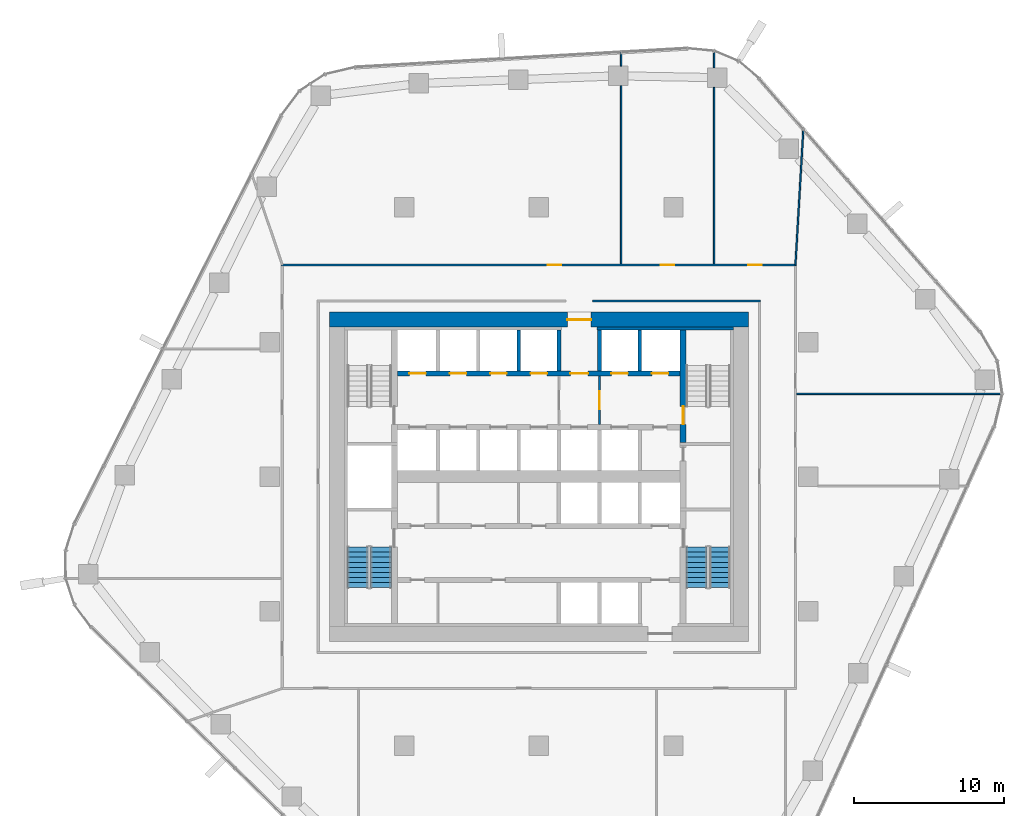
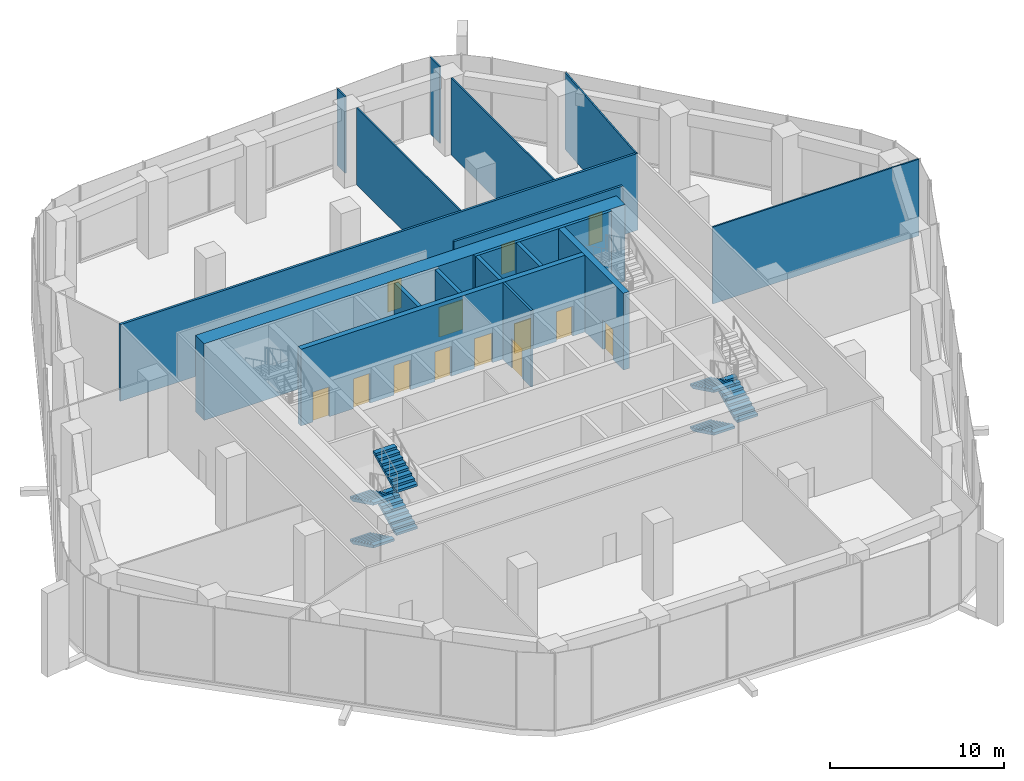
# One storey, part 13 of 18: 17 walls, 13 doors, 7 stair flights, 13 openings, 2 elements without a shape of their own.
"""IFC4 building model written with IfcOpenShell, lengths in metres."""

from ifc_helpers import new_model, si_unit, direction, frame, frame_2d, origin, place, context, subcontext, project, spatial, polyline, rectangle, outline, extrude, material, layer, layer_set, type_object, element, fill, aggregate, save


model = new_model("IFC4")

# Units and contexts
model_context = context("Model", 3, precision=1e-05, world=origin(), true_north=direction((0.0, 1.0)))
body_context = subcontext(model_context, "Body", "Model", "MODEL_VIEW")
ifc_project = project(units=[si_unit("LENGTHUNIT", "METRE"), si_unit("AREAUNIT", "SQUARE_METRE"), si_unit("VOLUMEUNIT", "CUBIC_METRE"), si_unit("PLANEANGLEUNIT", "RADIAN"), si_unit("MASSUNIT", "GRAM", prefix="KILO")], contexts=[model_context])

# Site, building, storey
site_placement = place(None, origin())
site = spatial("IfcSite", under=ifc_project, at=site_placement, CompositionType="ELEMENT")
building_placement = place(site_placement, origin())
building = spatial("IfcBuilding", under=site, at=building_placement, Name="Dongbaek Canopy Tower", CompositionType="ELEMENT")
storey_placement = place(building_placement, frame((0.0, 0.0, 139.60009765625)))
storey = spatial("IfcBuildingStorey", under=building, at=storey_placement, Name="L31", CompositionType="ELEMENT", Elevation=139.60009765625)

# Wall, openings, doors
ifc_material_1 = material(Name="Concrete C60/75", Category="concrete")
ifc_layer_1 = layer(ifc_material_1, 0.35009765625)
ifc_layer_set_1 = layer_set([ifc_layer_1], Name="Core lobby wall 350 Concrete C60/75")
wall_type_1 = type_object("IfcWallType", Name="Core lobby wall 350 Concrete C60/75", PredefinedType="SHEAR", material=ifc_layer_set_1)
wall_1_placement = place(storey_placement, frame((-9.449951171875, 6.89990234375, 0.0), z_axis=(0.0, 0.0, 1.0), x_axis=(1.0, 0.0, 0.0)))
wall_1 = element("IfcWall", 1, at=wall_1_placement, inside=storey, type_object=wall_type_1, Name="Core wall", PredefinedType="SHEAR", context=body_context, shape_type="SweptSolid", body=[
    extrude(rectangle(XDim=18.89990234375, YDim=0.35009765625, at=frame_2d((9.449951171875, 0.0))), origin(), (0.0, 0.0, 1.0), 5.39990234375),
])
opening_1_placement = place(wall_1_placement, frame((0.800048828125, 0.0, 0.0)))
opening_1 = element("IfcOpeningElement", 2, at=opening_1_placement, cuts=wall_1, Name="Opening L31-D016", PredefinedType="OPENING", context=body_context, shape_type="SweptSolid", body=[
    extrude(rectangle(XDim=1.10009765625, YDim=2.10009765625, at=frame_2d((0.550048828125, 1.050048828125))), frame((0.0, 0.18505859375, 0.0), z_axis=(0.0, -1.0, 0.0), x_axis=(1.0, 0.0, 0.0)), (0.0, 0.0, 1.0), 0.3701171875),
])
opening_2_placement = place(wall_1_placement, frame((3.5, 0.0, 0.0)))
opening_2 = element("IfcOpeningElement", 3, at=opening_2_placement, cuts=wall_1, Name="Opening L31-D017", PredefinedType="OPENING", context=body_context, shape_type="SweptSolid", body=[
    extrude(rectangle(XDim=1.10009765625, YDim=2.10009765625, at=frame_2d((0.550048828125, 1.050048828125))), frame((0.0, 0.18505859375, 0.0), z_axis=(0.0, -1.0, 0.0), x_axis=(1.0, 0.0, 0.0)), (0.0, 0.0, 1.0), 0.3701171875),
])
opening_3_placement = place(wall_1_placement, frame((6.199951171875, 0.0, 0.0)))
opening_3 = element("IfcOpeningElement", 4, at=opening_3_placement, cuts=wall_1, Name="Opening L31-D018", PredefinedType="OPENING", context=body_context, shape_type="SweptSolid", body=[
    extrude(rectangle(XDim=1.10009765625, YDim=2.10009765625, at=frame_2d((0.550048828125, 1.050048828125))), frame((0.0, 0.18505859375, 0.0), z_axis=(0.0, -1.0, 0.0), x_axis=(1.0, 0.0, 0.0)), (0.0, 0.0, 1.0), 0.3701171875),
])
opening_4_placement = place(wall_1_placement, frame((8.89990234375, 0.0, 0.0)))
opening_4 = element("IfcOpeningElement", 5, at=opening_4_placement, cuts=wall_1, Name="Opening L31-D019", PredefinedType="OPENING", context=body_context, shape_type="SweptSolid", body=[
    extrude(rectangle(XDim=1.10009765625, YDim=2.10009765625, at=frame_2d((0.550048828125, 1.050048828125))), frame((0.0, 0.18505859375, 0.0), z_axis=(0.0, -1.0, 0.0), x_axis=(1.0, 0.0, 0.0)), (0.0, 0.0, 1.0), 0.3701171875),
])
opening_5_placement = place(wall_1_placement, frame((11.550048828125, 0.0, 0.0)))
opening_5 = element("IfcOpeningElement", 6, at=opening_5_placement, cuts=wall_1, Name="Opening L31-D021", PredefinedType="OPENING", context=body_context, shape_type="SweptSolid", body=[
    extrude(rectangle(XDim=1.199951171875, YDim=2.10009765625, at=frame_2d((0.60009765625, 1.050048828125))), frame((0.0, 0.18505859375, 0.0), z_axis=(0.0, -1.0, 0.0), x_axis=(1.0, 0.0, 0.0)), (0.0, 0.0, 1.0), 0.3701171875),
])
opening_6_placement = place(wall_1_placement, frame((14.300048828125, 0.0, 0.0)))
opening_6 = element("IfcOpeningElement", 7, at=opening_6_placement, cuts=wall_1, Name="Opening L31-D022", PredefinedType="OPENING", context=body_context, shape_type="SweptSolid", body=[
    extrude(rectangle(XDim=1.10009765625, YDim=2.10009765625, at=frame_2d((0.550048828125, 1.050048828125))), frame((0.0, 0.18505859375, 0.0), z_axis=(0.0, -1.0, 0.0), x_axis=(1.0, 0.0, 0.0)), (0.0, 0.0, 1.0), 0.3701171875),
])
opening_7_placement = place(wall_1_placement, frame((17.0, 0.0, 0.0)))
opening_7 = element("IfcOpeningElement", 8, at=opening_7_placement, cuts=wall_1, Name="Opening L31-D023", PredefinedType="OPENING", context=body_context, shape_type="SweptSolid", body=[
    extrude(rectangle(XDim=1.10009765625, YDim=2.10009765625, at=frame_2d((0.550048828125, 1.050048828125))), frame((0.0, 0.18505859375, 0.0), z_axis=(0.0, -1.0, 0.0), x_axis=(1.0, 0.0, 0.0)), (0.0, 0.0, 1.0), 0.3701171875),
])
ifc_material_2 = material(Name="Steel", Category="steel")
door_type_1 = type_object("IfcDoorType", Name="Fire lobby door 1200 x 2100", OperationType="SINGLE_SWING_LEFT", PredefinedType="DOOR", material=ifc_material_2)
door_1_placement = place(opening_5_placement, origin())
door_1 = element("IfcDoor", 9, at=door_1_placement, inside=storey, type_object=door_type_1, Name="Door L31-D021", OperationType="SINGLE_SWING_LEFT", OverallHeight=2.10009765625, OverallWidth=1.199951171875, PredefinedType="DOOR", context=body_context, shape_type="SweptSolid", body=[
    extrude(rectangle(XDim=1.199951171875, YDim=2.10009765625, at=frame_2d((0.60009765625, 1.050048828125))), frame((0.0, 0.02490234375, 0.0), z_axis=(0.0, -1.0, 0.0), x_axis=(1.0, 0.0, 0.0)), (0.0, 0.0, 1.0), 0.050048828125),
])
fill(opening_5, door_1)
ifc_material_3 = material(Name="Stainless steel", Category="steel")
door_type_2 = type_object("IfcDoorType", Name="Lift landing door 1100 x 2100", OperationType="DOUBLE_DOOR_SLIDING", PredefinedType="DOOR", material=ifc_material_3)
door_2_placement = place(opening_1_placement, origin())
door_2 = element("IfcDoor", 10, at=door_2_placement, inside=storey, type_object=door_type_2, Name="Landing door LR1", OperationType="DOUBLE_DOOR_SLIDING", OverallHeight=2.10009765625, OverallWidth=1.10009765625, PredefinedType="DOOR", context=body_context, shape_type="SweptSolid", body=[
    extrude(rectangle(XDim=1.10009765625, YDim=2.10009765625, at=frame_2d((0.550048828125, 1.050048828125))), frame((0.0, 0.02490234375, 0.0), z_axis=(0.0, -1.0, 0.0), x_axis=(1.0, 0.0, 0.0)), (0.0, 0.0, 1.0), 0.050048828125),
])
fill(opening_1, door_2)
door_3_placement = place(opening_2_placement, origin())
door_3 = element("IfcDoor", 11, at=door_3_placement, inside=storey, type_object=door_type_2, Name="Landing door LR2", OperationType="DOUBLE_DOOR_SLIDING", OverallHeight=2.10009765625, OverallWidth=1.10009765625, PredefinedType="DOOR", context=body_context, shape_type="SweptSolid", body=[
    extrude(rectangle(XDim=1.10009765625, YDim=2.10009765625, at=frame_2d((0.550048828125, 1.050048828125))), frame((0.0, 0.02490234375, 0.0), z_axis=(0.0, -1.0, 0.0), x_axis=(1.0, 0.0, 0.0)), (0.0, 0.0, 1.0), 0.050048828125),
])
fill(opening_2, door_3)
door_4_placement = place(opening_3_placement, origin())
door_4 = element("IfcDoor", 12, at=door_4_placement, inside=storey, type_object=door_type_2, Name="Landing door LR3", OperationType="DOUBLE_DOOR_SLIDING", OverallHeight=2.10009765625, OverallWidth=1.10009765625, PredefinedType="DOOR", context=body_context, shape_type="SweptSolid", body=[
    extrude(rectangle(XDim=1.10009765625, YDim=2.10009765625, at=frame_2d((0.550048828125, 1.050048828125))), frame((0.0, 0.02490234375, 0.0), z_axis=(0.0, -1.0, 0.0), x_axis=(1.0, 0.0, 0.0)), (0.0, 0.0, 1.0), 0.050048828125),
])
fill(opening_3, door_4)
door_5_placement = place(opening_4_placement, origin())
door_5 = element("IfcDoor", 13, at=door_5_placement, inside=storey, type_object=door_type_2, Name="Landing door LR4", OperationType="DOUBLE_DOOR_SLIDING", OverallHeight=2.10009765625, OverallWidth=1.10009765625, PredefinedType="DOOR", context=body_context, shape_type="SweptSolid", body=[
    extrude(rectangle(XDim=1.10009765625, YDim=2.10009765625, at=frame_2d((0.550048828125, 1.050048828125))), frame((0.0, 0.02490234375, 0.0), z_axis=(0.0, -1.0, 0.0), x_axis=(1.0, 0.0, 0.0)), (0.0, 0.0, 1.0), 0.050048828125),
])
fill(opening_4, door_5)
door_6_placement = place(opening_6_placement, origin())
door_6 = element("IfcDoor", 14, at=door_6_placement, inside=storey, type_object=door_type_2, Name="Landing door FF1", OperationType="DOUBLE_DOOR_SLIDING", OverallHeight=2.10009765625, OverallWidth=1.10009765625, PredefinedType="DOOR", context=body_context, shape_type="SweptSolid", body=[
    extrude(rectangle(XDim=1.10009765625, YDim=2.10009765625, at=frame_2d((0.550048828125, 1.050048828125))), frame((0.0, 0.02490234375, 0.0), z_axis=(0.0, -1.0, 0.0), x_axis=(1.0, 0.0, 0.0)), (0.0, 0.0, 1.0), 0.050048828125),
])
fill(opening_6, door_6)
door_7_placement = place(opening_7_placement, origin())
door_7 = element("IfcDoor", 15, at=door_7_placement, inside=storey, type_object=door_type_2, Name="Landing door FF2", OperationType="DOUBLE_DOOR_SLIDING", OverallHeight=2.10009765625, OverallWidth=1.10009765625, PredefinedType="DOOR", context=body_context, shape_type="SweptSolid", body=[
    extrude(rectangle(XDim=1.10009765625, YDim=2.10009765625, at=frame_2d((0.550048828125, 1.050048828125))), frame((0.0, 0.02490234375, 0.0), z_axis=(0.0, -1.0, 0.0), x_axis=(1.0, 0.0, 0.0)), (0.0, 0.0, 1.0), 0.050048828125),
])
fill(opening_7, door_7)

# Wall, opening, door
ifc_material_4 = material(Name="Concrete C60/75", Category="concrete")
ifc_layer_2 = layer(ifc_material_4, 1.0)
ifc_layer_set_2 = layer_set([ifc_layer_2], Name="Core outer wall 1000 Concrete C60/75")
wall_type_2 = type_object("IfcWallType", Name="Core outer wall 1000 Concrete C60/75", PredefinedType="SHEAR", material=ifc_layer_set_2)
wall_2_placement = place(storey_placement, frame((-14.0, 10.5, 0.0), z_axis=(0.0, 0.0, 1.0), x_axis=(1.0, 0.0, 0.0)))
wall_2 = element("IfcWall", 16, at=wall_2_placement, inside=storey, type_object=wall_type_2, Name="Core wall", PredefinedType="SHEAR", context=body_context, shape_type="SweptSolid", body=[
    extrude(rectangle(XDim=28.0, YDim=1.0, at=frame_2d((14.0, 0.0))), origin(), (0.0, 0.0, 1.0), 5.39990234375),
])
opening_8_placement = place(wall_2_placement, frame((15.89990234375, 0.0, 0.0)))
opening_8 = element("IfcOpeningElement", 17, at=opening_8_placement, cuts=wall_2, Name="Opening L31-D020", PredefinedType="OPENING", context=body_context, shape_type="SweptSolid", body=[
    extrude(rectangle(XDim=1.60009765625, YDim=2.10009765625, at=frame_2d((0.800048828125, 1.050048828125))), frame((0.0, 0.510009765625, 0.0), z_axis=(0.0, -1.0, 0.0), x_axis=(1.0, 0.0, 0.0)), (0.0, 0.0, 1.0), 1.02001953125),
])
ifc_material_5 = material(Name="Steel", Category="steel")
door_type_3 = type_object("IfcDoorType", Name="Core exit door 1600 x 2100", OperationType="DOUBLE_DOOR_SINGLE_SWING", PredefinedType="DOOR", material=ifc_material_5)
door_8_placement = place(opening_8_placement, origin())
door_8 = element("IfcDoor", 18, at=door_8_placement, inside=storey, type_object=door_type_3, Name="Core exit door", OperationType="DOUBLE_DOOR_SINGLE_SWING", OverallHeight=2.10009765625, OverallWidth=1.60009765625, PredefinedType="DOOR", context=body_context, shape_type="SweptSolid", body=[
    extrude(rectangle(XDim=1.60009765625, YDim=2.10009765625, at=frame_2d((0.800048828125, 1.050048828125))), frame((0.0, 0.02490234375, 0.0), z_axis=(0.0, -1.0, 0.0), x_axis=(1.0, 0.0, 0.0)), (0.0, 0.0, 1.0), 0.050048828125),
])
fill(opening_8, door_8)

# Walls
ifc_material_6 = material(Name="Concrete C60/75", Category="concrete")
ifc_layer_3 = layer(ifc_material_6, 0.199951171875)
ifc_layer_set_3 = layer_set([ifc_layer_3], Name="Core wall lining 200 Concrete C60/75")
wall_type_3 = type_object("IfcWallType", Name="Core wall lining 200 Concrete C60/75", PredefinedType="SHEAR", material=ifc_layer_set_3)
wall_3_placement = place(storey_placement, frame((3.89990234375, 9.89990234375, 0.0), z_axis=(0.0, 0.0, 1.0), x_axis=(1.0, 0.0, 0.0)))
element("IfcWall", 19, at=wall_3_placement, inside=storey, type_object=wall_type_3, Name="Core wall lining", PredefinedType="SHEAR", context=body_context, shape_type="SweptSolid", body=[
    extrude(rectangle(XDim=9.10009765625, YDim=0.199951171875, at=frame_2d((4.550048828125, 0.0))), origin(), (0.0, 0.0, 1.0), 5.39990234375),
])
ifc_material_7 = material(Name="Gypsum board partition, steel stud, 2 x 15 mm fire board", Category="steel")
ifc_layer_4 = layer(ifc_material_7, 0.14990234375)
ifc_layer_set_4 = layer_set([ifc_layer_4], Name="Fire-rated partition 150 gypsum board")
wall_type_4 = type_object("IfcWallType", Name="Fire-rated partition 150 gypsum board", PredefinedType="PARTITIONING", material=ifc_layer_set_4)
wall_4_placement = place(storey_placement, frame((3.60009765625, 11.75, 0.0), z_axis=(0.0, 0.0, 1.0), x_axis=(1.0, 0.0, 0.0)))
element("IfcWall", 20, at=wall_4_placement, inside=storey, type_object=wall_type_4, Name="Corridor partition", PredefinedType="PARTITIONING", context=body_context, shape_type="SweptSolid", body=[
    extrude(rectangle(XDim=11.224853515625, YDim=0.14990234375, at=frame_2d((5.6123046875, 0.0))), origin(), (0.0, 0.0, 1.0), 5.39990234375),
])

# Wall, openings, doors
wall_5_placement = place(storey_placement, frame((-17.22509765625, 14.14990234375, 0.0), z_axis=(0.0, 0.0, 1.0), x_axis=(1.0, 0.0, 0.0)))
wall_5 = element("IfcWall", 21, at=wall_5_placement, inside=storey, type_object=wall_type_4, Name="Corridor partition", PredefinedType="PARTITIONING", context=body_context, shape_type="SweptSolid", body=[
    extrude(rectangle(XDim=34.4501953125, YDim=0.14990234375, at=frame_2d((17.22509765625, 0.0))), origin(), (0.0, 0.0, 1.0), 5.39990234375),
])
opening_9_placement = place(wall_5_placement, frame((31.20849609375, 0.0, 0.0)))
opening_9 = element("IfcOpeningElement", 22, at=opening_9_placement, cuts=wall_5, Name="Opening L31-D008", PredefinedType="OPENING", context=body_context, shape_type="SweptSolid", body=[
    extrude(rectangle(XDim=0.89990234375, YDim=2.10009765625, at=frame_2d((0.449951171875, 1.050048828125))), frame((0.0, 0.0849609375, 0.0), z_axis=(0.0, -1.0, 0.0), x_axis=(1.0, 0.0, 0.0)), (0.0, 0.0, 1.0), 0.169921875),
])
opening_10_placement = place(wall_5_placement, frame((25.381103515625, 0.0, 0.0)))
opening_10 = element("IfcOpeningElement", 23, at=opening_10_placement, cuts=wall_5, Name="Opening L31-D009", PredefinedType="OPENING", context=body_context, shape_type="SweptSolid", body=[
    extrude(rectangle(XDim=0.89990234375, YDim=2.10009765625, at=frame_2d((0.449951171875, 1.050048828125))), frame((0.0, 0.0849609375, 0.0), z_axis=(0.0, -1.0, 0.0), x_axis=(1.0, 0.0, 0.0)), (0.0, 0.0, 1.0), 0.169921875),
])
opening_11_placement = place(wall_5_placement, frame((17.8232421875, 0.0, 0.0)))
opening_11 = element("IfcOpeningElement", 24, at=opening_11_placement, cuts=wall_5, Name="Opening L31-D010", PredefinedType="OPENING", context=body_context, shape_type="SweptSolid", body=[
    extrude(rectangle(XDim=0.89990234375, YDim=2.10009765625, at=frame_2d((0.449951171875, 1.050048828125))), frame((0.0, 0.0849609375, 0.0), z_axis=(0.0, -1.0, 0.0), x_axis=(1.0, 0.0, 0.0)), (0.0, 0.0, 1.0), 0.169921875),
])
ifc_material_8 = material(Name="Timber veneered door leaf", Category="wood")
door_type_4 = type_object("IfcDoorType", Name="Room door 900 x 2100", OperationType="SINGLE_SWING_LEFT", PredefinedType="DOOR", material=ifc_material_8)
door_9_placement = place(opening_9_placement, origin())
door_9 = element("IfcDoor", 25, at=door_9_placement, inside=storey, type_object=door_type_4, Name="Door L31-D008", OperationType="SINGLE_SWING_LEFT", OverallHeight=2.10009765625, OverallWidth=0.89990234375, PredefinedType="DOOR", context=body_context, shape_type="SweptSolid", body=[
    extrude(rectangle(XDim=0.89990234375, YDim=2.10009765625, at=frame_2d((0.449951171875, 1.050048828125))), frame((0.0, 0.02490234375, 0.0), z_axis=(0.0, -1.0, 0.0), x_axis=(1.0, 0.0, 0.0)), (0.0, 0.0, 1.0), 0.050048828125),
])
fill(opening_9, door_9)
door_10_placement = place(opening_10_placement, origin())
door_10 = element("IfcDoor", 26, at=door_10_placement, inside=storey, type_object=door_type_4, Name="Door L31-D009", OperationType="SINGLE_SWING_RIGHT", OverallHeight=2.10009765625, OverallWidth=0.89990234375, PredefinedType="DOOR", context=body_context, shape_type="SweptSolid", body=[
    extrude(rectangle(XDim=0.89990234375, YDim=2.10009765625, at=frame_2d((0.449951171875, 1.050048828125))), frame((0.0, 0.02490234375, 0.0), z_axis=(0.0, -1.0, 0.0), x_axis=(1.0, 0.0, 0.0)), (0.0, 0.0, 1.0), 0.050048828125),
])
fill(opening_10, door_10)
door_11_placement = place(opening_11_placement, origin())
door_11 = element("IfcDoor", 27, at=door_11_placement, inside=storey, type_object=door_type_4, Name="Door L31-D010", OperationType="SINGLE_SWING_LEFT", OverallHeight=2.10009765625, OverallWidth=0.89990234375, PredefinedType="DOOR", context=body_context, shape_type="SweptSolid", body=[
    extrude(rectangle(XDim=0.89990234375, YDim=2.10009765625, at=frame_2d((0.449951171875, 1.050048828125))), frame((0.0, 0.02490234375, 0.0), z_axis=(0.0, -1.0, 0.0), x_axis=(1.0, 0.0, 0.0)), (0.0, 0.0, 1.0), 0.050048828125),
])
fill(opening_11, door_11)

# Wall, opening, door
wall_6_placement = place(storey_placement, frame((4.050048828125, 6.72509765625, 0.0), z_axis=(0.0, 0.0, 1.0), x_axis=(0.0, -1.0, 0.0)))
wall_6 = element("IfcWall", 28, at=wall_6_placement, inside=storey, type_object=wall_type_4, Name="Fire lobby partition", PredefinedType="PARTITIONING", context=body_context, shape_type="SweptSolid", body=[
    extrude(rectangle(XDim=3.25, YDim=0.14990234375, at=frame_2d((1.625, 0.0))), origin(), (0.0, 0.0, 1.0), 5.39990234375),
])
opening_12_placement = place(wall_6_placement, frame((1.02490234375, 0.0, 0.0)))
opening_12 = element("IfcOpeningElement", 29, at=opening_12_placement, cuts=wall_6, Name="Opening L31-D044", PredefinedType="OPENING", context=body_context, shape_type="SweptSolid", body=[
    extrude(rectangle(XDim=1.199951171875, YDim=2.10009765625, at=frame_2d((0.60009765625, 1.050048828125))), frame((0.0, 0.0849609375, 0.0), z_axis=(0.0, -1.0, 0.0), x_axis=(1.0, 0.0, 0.0)), (0.0, 0.0, 1.0), 0.169921875),
])
door_12_placement = place(opening_12_placement, origin())
door_12 = element("IfcDoor", 30, at=door_12_placement, inside=storey, type_object=door_type_1, Name="Door L31-D044", OperationType="SINGLE_SWING_RIGHT", OverallHeight=2.10009765625, OverallWidth=1.199951171875, PredefinedType="DOOR", context=body_context, shape_type="SweptSolid", body=[
    extrude(rectangle(XDim=1.199951171875, YDim=2.10009765625, at=frame_2d((0.60009765625, 1.050048828125))), frame((0.0, 0.02490234375, 0.0), z_axis=(0.0, -1.0, 0.0), x_axis=(1.0, 0.0, 0.0)), (0.0, 0.0, 1.0), 0.050048828125),
])
fill(opening_12, door_12)

# Walls
ifc_material_9 = material(Name="Concrete C40/50", Category="concrete")
ifc_layer_5 = layer(ifc_material_9, 0.25)
ifc_layer_set_5 = layer_set([ifc_layer_5], Name="Lift shaft wall 250 Concrete C40/50")
wall_type_5 = type_object("IfcWallType", Name="Lift shaft wall 250 Concrete C40/50", PredefinedType="SOLIDWALL", material=ifc_layer_set_5)
for number, where, z_axis, x_axis, name in (
    (31, (6.75, 7.074951171875, 0.0), (0.0, 0.0, 1.0), (0.0, 1.0, 0.0), "Lift shaft wall"),
    (32, (4.050048828125, 7.074951171875, 0.0), (0.0, 0.0, 1.0), (0.0, 1.0, 0.0), "Lift shaft wall"),
    (33, (1.35009765625, 7.074951171875, 0.0), (0.0, 0.0, 1.0), (0.0, 1.0, 0.0), "Lift shaft wall"),
    (34, (-1.35009765625, 7.074951171875, 0.0), (0.0, 0.0, 1.0), (0.0, 1.0, 0.0), "Lift shaft wall"),
):
    element("IfcWall", number, at=place(storey_placement, frame(where, z_axis=z_axis, x_axis=x_axis)), inside=storey, type_object=wall_type_5, Name=name, PredefinedType="SOLIDWALL", context=body_context, shape_type="SweptSolid", body=[
        extrude(rectangle(XDim=2.72509765625, YDim=0.25, at=frame_2d((1.362548828125, 0.0))), origin(), (0.0, 0.0, 1.0), 5.39990234375),
    ])
ifc_material_10 = material(Name="Gypsum board partition, steel stud, 2 x 12.5 mm board", Category="steel")
ifc_layer_6 = layer(ifc_material_10, 0.10009765625)
ifc_layer_set_6 = layer_set([ifc_layer_6], Name="Partition 100 gypsum board")
wall_type_6 = type_object("IfcWallType", Name="Partition 100 gypsum board", PredefinedType="PARTITIONING", material=ifc_layer_set_6)
wall_7_placement = place(storey_placement, frame((17.22509765625, 5.529052734375, 0.0), z_axis=(0.0, 0.0, 1.0), x_axis=(1.0, 0.0, 0.0)))
element("IfcWall", 35, at=wall_7_placement, inside=storey, type_object=wall_type_6, Name="Partition", PredefinedType="PARTITIONING", context=body_context, shape_type="SweptSolid", body=[
    extrude(rectangle(XDim=13.720703125, YDim=0.10009765625, at=frame_2d((6.8603515625, 0.0))), origin(), (0.0, 0.0, 1.0), 5.39990234375),
])
wall_8_placement = place(storey_placement, frame((17.1494140625, 14.14990234375, 0.0), z_axis=(0.0, 0.0, 1.0), x_axis=(0.058278603103, 0.998300357818, 0.0)))
element("IfcWall", 36, at=wall_8_placement, inside=storey, type_object=wall_type_6, Name="Partition", PredefinedType="PARTITIONING", context=body_context, shape_type="SweptSolid", body=[
    extrude(rectangle(XDim=9.069580078125, YDim=0.10009765625, at=frame_2d((4.53466796875, 0.0))), origin(), (0.0, 0.0, 1.0), 5.39990234375),
])
wall_9_placement = place(storey_placement, frame((11.717041015625, 14.22509765625, 0.0), z_axis=(0.0, 0.0, 1.0), x_axis=(0.0, 1.0, 0.0)))
element("IfcWall", 37, at=wall_9_placement, inside=storey, type_object=wall_type_6, Name="Partition", PredefinedType="PARTITIONING", context=body_context, shape_type="SweptSolid", body=[
    extrude(rectangle(XDim=11.798828125, YDim=0.10009765625, at=frame_2d((5.8994140625, 0.0))), origin(), (0.0, 0.0, 1.0), 5.39990234375),
])
wall_10_placement = place(storey_placement, frame((11.717041015625, 27.323974609375, 0.0), z_axis=(0.0, 0.0, 1.0), x_axis=(0.0, 1.0, 0.0)))
element("IfcWall", 38, at=wall_10_placement, inside=storey, type_object=wall_type_6, Name="Partition", PredefinedType="PARTITIONING", context=body_context, shape_type="SweptSolid", body=[
    extrude(rectangle(XDim=1.117431640625, YDim=0.10009765625, at=frame_2d((0.55859375, 0.0))), origin(), (0.0, 0.0, 1.0), 5.39990234375),
])
wall_11_placement = place(storey_placement, frame((5.49609375, 14.22509765625, 0.0), z_axis=(0.0, 0.0, 1.0), x_axis=(0.0, 1.0, 0.0)))
element("IfcWall", 39, at=wall_11_placement, inside=storey, type_object=wall_type_6, Name="Partition", PredefinedType="PARTITIONING", context=body_context, shape_type="SweptSolid", body=[
    extrude(rectangle(XDim=11.9228515625, YDim=0.10009765625, at=frame_2d((5.96142578125, 0.0))), origin(), (0.0, 0.0, 1.0), 5.39990234375),
])
wall_12_placement = place(storey_placement, frame((5.49609375, 27.447998046875, 0.0), z_axis=(0.0, 0.0, 1.0), x_axis=(0.0, 1.0, 0.0)))
element("IfcWall", 40, at=wall_12_placement, inside=storey, type_object=wall_type_6, Name="Partition", PredefinedType="PARTITIONING", context=body_context, shape_type="SweptSolid", body=[
    extrude(rectangle(XDim=0.913818359375, YDim=0.10009765625, at=frame_2d((0.45703125, 0.0))), origin(), (0.0, 0.0, 1.0), 5.39990234375),
])

# Wall, opening, door
ifc_material_11 = material(Name="Concrete C60/75", Category="concrete")
ifc_layer_7 = layer(ifc_material_11, 0.39990234375)
ifc_layer_set_7 = layer_set([ifc_layer_7], Name="Stair wall 400 Concrete C60/75")
wall_type_7 = type_object("IfcWallType", Name="Stair wall 400 Concrete C60/75", PredefinedType="SHEAR", material=ifc_layer_set_7)
wall_13_placement = place(storey_placement, frame((9.64990234375, 9.800048828125, 0.0), z_axis=(0.0, 0.0, 1.0), x_axis=(0.0, -1.0, 0.0)))
wall_13 = element("IfcWall", 41, at=wall_13_placement, inside=storey, type_object=wall_type_7, Name="Stair wall", PredefinedType="SHEAR", context=body_context, shape_type="SweptSolid", body=[
    extrude(rectangle(XDim=7.5, YDim=0.39990234375, at=frame_2d((3.75, 0.0))), origin(), (0.0, 0.0, 1.0), 5.39990234375),
])
opening_13_placement = place(wall_13_placement, frame((5.10009765625, 0.0, 0.0)))
opening_13 = element("IfcOpeningElement", 42, at=opening_13_placement, cuts=wall_13, Name="Opening L31-D039", PredefinedType="OPENING", context=body_context, shape_type="SweptSolid", body=[
    extrude(rectangle(XDim=1.199951171875, YDim=2.10009765625, at=frame_2d((0.60009765625, 1.050048828125))), frame((0.0, 0.2099609375, 0.0), z_axis=(0.0, -1.0, 0.0), x_axis=(1.0, 0.0, 0.0)), (0.0, 0.0, 1.0), 0.419921875),
])
ifc_material_12 = material(Name="Steel", Category="steel")
door_type_5 = type_object("IfcDoorType", Name="Stair door 1200 x 2100", OperationType="SINGLE_SWING_LEFT", PredefinedType="DOOR", material=ifc_material_12)
door_13_placement = place(opening_13_placement, origin())
door_13 = element("IfcDoor", 43, at=door_13_placement, inside=storey, type_object=door_type_5, Name="Stair A door", OperationType="SINGLE_SWING_LEFT", OverallHeight=2.10009765625, OverallWidth=1.199951171875, PredefinedType="DOOR", context=body_context, shape_type="SweptSolid", body=[
    extrude(rectangle(XDim=1.199951171875, YDim=2.10009765625, at=frame_2d((0.60009765625, 1.050048828125))), frame((0.0, 0.02490234375, 0.0), z_axis=(0.0, -1.0, 0.0), x_axis=(1.0, 0.0, 0.0)), (0.0, 0.0, 1.0), 0.050048828125),
])
fill(opening_13, door_13)

# Stair, stair flights
ifc_material_13 = material(Name="Concrete C40/50", Category="concrete")
stair_type = type_object("IfcStairType", Name="Core exit stair", PredefinedType="HALF_TURN_STAIR", material=ifc_material_13)
stair_1_placement = place(storey_placement, origin())
stair_1 = element("IfcStair", 44, at=stair_1_placement, inside=storey, type_object=stair_type, Name="L31 exit stair B", PredefinedType="HALF_TURN_STAIR")
ifc_material_14 = material(Name="Concrete C40/50", Category="concrete")
ifc_layer_8 = layer(ifc_material_14, 0.14990234375)
ifc_layer_set_8 = layer_set([ifc_layer_8], Name="Core stair flight 150 waist")
stair_flight_type = type_object("IfcStairFlightType", Name="Core stair flight 150 waist", PredefinedType="STRAIGHT", material=ifc_layer_set_8)
stair_flight_1_placement = place(storey_placement, frame((10.550048828125, -4.699951171875, 0.0), z_axis=(0.0, 0.0, 1.0), x_axis=(0.0, -1.0, 0.0)))
stair_flight_1 = element("IfcStairFlight", 45, at=stair_flight_1_placement, type_object=stair_flight_type, Name="ST-B flight 1", NumberOfRisers=9, NumberOfTreads=8, PredefinedType="STRAIGHT", RiserHeight=0.166666667, TreadLength=0.34, context=body_context, shape_type="SweptSolid", body=[
    extrude(outline(polyline([(0.0, 0.0), (0.0, 0.166748046875), (0.340087890625, 0.166748046875), (0.340087890625, 0.333251953125), (0.679931640625, 0.333251953125), (0.679931640625, 0.5), (1.02001953125, 0.5), (1.02001953125, 0.666748046875), (1.360107421875, 0.666748046875), (1.360107421875, 0.833251953125), (1.699951171875, 0.833251953125), (1.699951171875, 1.0), (2.0400390625, 1.0), (2.0400390625, 1.166748046875), (2.3798828125, 1.166748046875), (2.3798828125, 1.333251953125), (2.719970703125, 1.333251953125), (2.719970703125, 1.5), (2.719970703125, 1.16650390625), (0.340576171875, 0.0), (0.0, 0.0)])), frame((0.0, 0.699951171875, 0.0), z_axis=(0.0, -1.0, 0.0), x_axis=(1.0, 0.0, 0.0)), (0.0, 0.0, 1.0), 1.39990234375),
])
stair_flight_2_placement = place(storey_placement, frame((12.10009765625, -7.419921875, 1.5), z_axis=(0.0, 0.0, 1.0), x_axis=(0.0, 1.0, 0.0)))
stair_flight_2 = element("IfcStairFlight", 46, at=stair_flight_2_placement, type_object=stair_flight_type, Name="ST-B flight 2", NumberOfRisers=9, NumberOfTreads=8, PredefinedType="STRAIGHT", RiserHeight=0.166666667, TreadLength=0.34, context=body_context, shape_type="SweptSolid", body=[
    extrude(outline(polyline([(0.0, 0.0), (0.0, 0.166748046875), (0.340087890625, 0.166748046875), (0.340087890625, 0.333251953125), (0.679931640625, 0.333251953125), (0.679931640625, 0.5), (1.02001953125, 0.5), (1.02001953125, 0.666748046875), (1.360107421875, 0.666748046875), (1.360107421875, 0.833251953125), (1.699951171875, 0.833251953125), (1.699951171875, 1.0), (2.0400390625, 1.0), (2.0400390625, 1.166748046875), (2.3798828125, 1.166748046875), (2.3798828125, 1.333251953125), (2.719970703125, 1.333251953125), (2.719970703125, 1.5), (2.719970703125, 1.16650390625), (0.340576171875, 0.0), (0.0, 0.0)])), frame((0.0, 0.699951171875, 0.0), z_axis=(0.0, -1.0, 0.0), x_axis=(1.0, 0.0, 0.0)), (0.0, 0.0, 1.0), 1.39990234375),
])
stair_flight_3_placement = place(storey_placement, frame((10.550048828125, -4.699951171875, 3.0), z_axis=(0.0, 0.0, 1.0), x_axis=(0.0, -1.0, 0.0)))
stair_flight_3 = element("IfcStairFlight", 47, at=stair_flight_3_placement, type_object=stair_flight_type, Name="ST-B flight 3", NumberOfRisers=9, NumberOfTreads=8, PredefinedType="STRAIGHT", RiserHeight=0.166666667, TreadLength=0.34, context=body_context, shape_type="SweptSolid", body=[
    extrude(outline(polyline([(0.0, 0.0), (0.0, 0.166748046875), (0.340087890625, 0.166748046875), (0.340087890625, 0.333251953125), (0.679931640625, 0.333251953125), (0.679931640625, 0.5), (1.02001953125, 0.5), (1.02001953125, 0.666748046875), (1.360107421875, 0.666748046875), (1.360107421875, 0.833251953125), (1.699951171875, 0.833251953125), (1.699951171875, 1.0), (2.0400390625, 1.0), (2.0400390625, 1.166748046875), (2.3798828125, 1.166748046875), (2.3798828125, 1.333251953125), (2.719970703125, 1.333251953125), (2.719970703125, 1.5), (2.719970703125, 1.16650390625), (0.340576171875, 0.0), (0.0, 0.0)])), frame((0.0, 0.699951171875, 0.0), z_axis=(0.0, -1.0, 0.0), x_axis=(1.0, 0.0, 0.0)), (0.0, 0.0, 1.0), 1.39990234375),
])
aggregate(stair_1, [stair_flight_1, stair_flight_2, stair_flight_3])

stair_2_placement = place(storey_placement, origin())
stair_2 = element("IfcStair", 48, at=stair_2_placement, inside=storey, type_object=stair_type, Name="L31 exit stair D", PredefinedType="HALF_TURN_STAIR")
stair_flight_4_placement = place(storey_placement, frame((-12.10009765625, -4.699951171875, 0.0), z_axis=(0.0, 0.0, 1.0), x_axis=(0.0, -1.0, 0.0)))
stair_flight_4 = element("IfcStairFlight", 49, at=stair_flight_4_placement, type_object=stair_flight_type, Name="ST-D flight 1", NumberOfRisers=9, NumberOfTreads=8, PredefinedType="STRAIGHT", RiserHeight=0.166666667, TreadLength=0.34, context=body_context, shape_type="SweptSolid", body=[
    extrude(outline(polyline([(0.0, 0.0), (0.0, 0.166748046875), (0.340087890625, 0.166748046875), (0.340087890625, 0.333251953125), (0.679931640625, 0.333251953125), (0.679931640625, 0.5), (1.02001953125, 0.5), (1.02001953125, 0.666748046875), (1.360107421875, 0.666748046875), (1.360107421875, 0.833251953125), (1.699951171875, 0.833251953125), (1.699951171875, 1.0), (2.0400390625, 1.0), (2.0400390625, 1.166748046875), (2.3798828125, 1.166748046875), (2.3798828125, 1.333251953125), (2.719970703125, 1.333251953125), (2.719970703125, 1.5), (2.719970703125, 1.16650390625), (0.340576171875, 0.0), (0.0, 0.0)])), frame((0.0, 0.699951171875, 0.0), z_axis=(0.0, -1.0, 0.0), x_axis=(1.0, 0.0, 0.0)), (0.0, 0.0, 1.0), 1.39990234375),
])
stair_flight_5_placement = place(storey_placement, frame((-10.550048828125, -7.419921875, 1.5), z_axis=(0.0, 0.0, 1.0), x_axis=(0.0, 1.0, 0.0)))
stair_flight_5 = element("IfcStairFlight", 50, at=stair_flight_5_placement, type_object=stair_flight_type, Name="ST-D flight 2", NumberOfRisers=9, NumberOfTreads=8, PredefinedType="STRAIGHT", RiserHeight=0.166666667, TreadLength=0.34, context=body_context, shape_type="SweptSolid", body=[
    extrude(outline(polyline([(0.0, 0.0), (0.0, 0.166748046875), (0.340087890625, 0.166748046875), (0.340087890625, 0.333251953125), (0.679931640625, 0.333251953125), (0.679931640625, 0.5), (1.02001953125, 0.5), (1.02001953125, 0.666748046875), (1.360107421875, 0.666748046875), (1.360107421875, 0.833251953125), (1.699951171875, 0.833251953125), (1.699951171875, 1.0), (2.0400390625, 1.0), (2.0400390625, 1.166748046875), (2.3798828125, 1.166748046875), (2.3798828125, 1.333251953125), (2.719970703125, 1.333251953125), (2.719970703125, 1.5), (2.719970703125, 1.16650390625), (0.340576171875, 0.0), (0.0, 0.0)])), frame((0.0, 0.699951171875, 0.0), z_axis=(0.0, -1.0, 0.0), x_axis=(1.0, 0.0, 0.0)), (0.0, 0.0, 1.0), 1.39990234375),
])
stair_flight_6_placement = place(storey_placement, frame((-12.10009765625, -4.699951171875, 3.0), z_axis=(0.0, 0.0, 1.0), x_axis=(0.0, -1.0, 0.0)))
stair_flight_6 = element("IfcStairFlight", 51, at=stair_flight_6_placement, type_object=stair_flight_type, Name="ST-D flight 3", NumberOfRisers=9, NumberOfTreads=8, PredefinedType="STRAIGHT", RiserHeight=0.166666667, TreadLength=0.34, context=body_context, shape_type="SweptSolid", body=[
    extrude(outline(polyline([(0.0, 0.0), (0.0, 0.166748046875), (0.340087890625, 0.166748046875), (0.340087890625, 0.333251953125), (0.679931640625, 0.333251953125), (0.679931640625, 0.5), (1.02001953125, 0.5), (1.02001953125, 0.666748046875), (1.360107421875, 0.666748046875), (1.360107421875, 0.833251953125), (1.699951171875, 0.833251953125), (1.699951171875, 1.0), (2.0400390625, 1.0), (2.0400390625, 1.166748046875), (2.3798828125, 1.166748046875), (2.3798828125, 1.333251953125), (2.719970703125, 1.333251953125), (2.719970703125, 1.5), (2.719970703125, 1.16650390625), (0.340576171875, 0.0), (0.0, 0.0)])), frame((0.0, 0.699951171875, 0.0), z_axis=(0.0, -1.0, 0.0), x_axis=(1.0, 0.0, 0.0)), (0.0, 0.0, 1.0), 1.39990234375),
])
stair_flight_7_placement = place(storey_placement, frame((-10.550048828125, -7.419921875, 4.5), z_axis=(0.0, 0.0, 1.0), x_axis=(0.0, 1.0, 0.0)))
stair_flight_7 = element("IfcStairFlight", 52, at=stair_flight_7_placement, type_object=stair_flight_type, Name="ST-D flight 4", NumberOfRisers=9, NumberOfTreads=8, PredefinedType="STRAIGHT", RiserHeight=0.166666667, TreadLength=0.34, context=body_context, shape_type="SweptSolid", body=[
    extrude(outline(polyline([(0.0, 0.0), (0.0, 0.166748046875), (0.340087890625, 0.166748046875), (0.340087890625, 0.333251953125), (0.679931640625, 0.333251953125), (0.679931640625, 0.5), (1.02001953125, 0.5), (1.02001953125, 0.666748046875), (1.360107421875, 0.666748046875), (1.360107421875, 0.833251953125), (1.699951171875, 0.833251953125), (1.699951171875, 1.0), (2.0400390625, 1.0), (2.0400390625, 1.166748046875), (2.3798828125, 1.166748046875), (2.3798828125, 1.333251953125), (2.719970703125, 1.333251953125), (2.719970703125, 1.5), (2.719970703125, 1.16650390625), (0.340576171875, 0.0), (0.0, 0.0)])), frame((0.0, 0.699951171875, 0.0), z_axis=(0.0, -1.0, 0.0), x_axis=(1.0, 0.0, 0.0)), (0.0, 0.0, 1.0), 1.39990234375),
])
aggregate(stair_2, [stair_flight_4, stair_flight_5, stair_flight_6, stair_flight_7])

save(model, "model.ifc")
